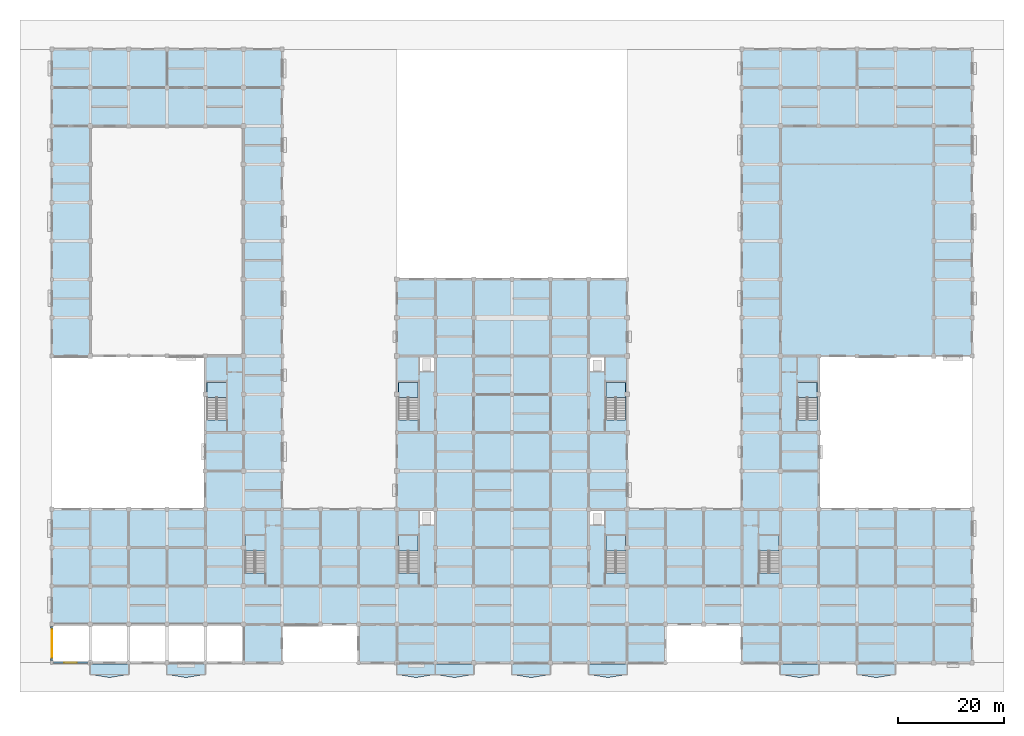
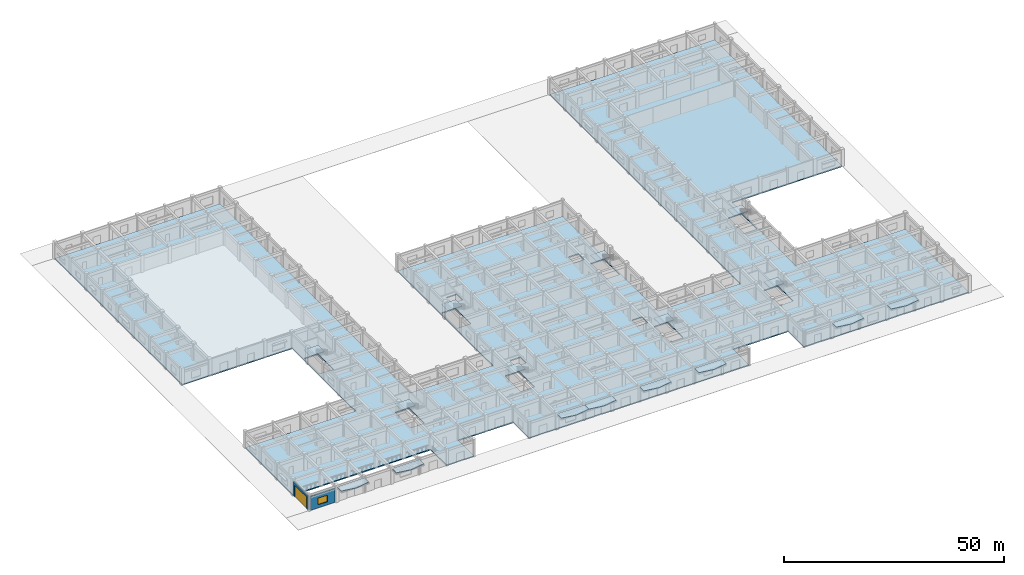
# One storey, part 7 of 37: 17 slabs, 2 walls, 1 door, 1 window, 2 openings, 8 elements without a shape of their own.
"""IFC4 building model written with IfcOpenShell, lengths in metres."""

from ifc_helpers import new_model, si_unit, direction, frame, frame_2d, origin, place, context, subcontext, project, spatial, polyline, rectangle, outline, extrude, material, layer, layer_set, type_object, element, fill, aggregate, save


model = new_model("IFC4")

# Units and contexts
model_context = context("Model", 3, precision=1e-05, world=origin(), true_north=direction((0.0, 1.0)))
body_context = subcontext(model_context, "Body", "Model", "MODEL_VIEW")
ifc_project = project(units=[si_unit("LENGTHUNIT", "METRE"), si_unit("AREAUNIT", "SQUARE_METRE"), si_unit("VOLUMEUNIT", "CUBIC_METRE"), si_unit("PLANEANGLEUNIT", "RADIAN"), si_unit("MASSUNIT", "GRAM", prefix="KILO")], contexts=[model_context])

# Site, building, storey
site_placement = place(None, origin())
site = spatial("IfcSite", under=ifc_project, at=site_placement, CompositionType="ELEMENT")
building_placement = place(site_placement, origin())
building = spatial("IfcBuilding", under=site, at=building_placement, Name="Cendaluz Park School", CompositionType="ELEMENT")
storey_placement = place(building_placement, origin())
storey = spatial("IfcBuildingStorey", under=building, at=storey_placement, Name="L00", CompositionType="ELEMENT", Elevation=0.0)

# Slabs
ifc_material_1 = material(Name="Concrete C40/50", Category="concrete")
ifc_layer_1 = layer(ifc_material_1, 0.159912109375)
ifc_layer_set_1 = layer_set([ifc_layer_1], Name="Concrete C40/50")
slab_type_1 = type_object("IfcSlabType", Name="SL-CN-160", PredefinedType="ROOF", material=ifc_layer_set_1)
slab_1_placement = place(storey_placement, frame((0.0, 0.0, 4.0400390625)))
element("IfcSlab", 1, at=slab_1_placement, inside=storey, type_object=slab_type_1, Name="Park Arcade Canopy 1", PredefinedType="ROOF", context=body_context, shape_type="SweptSolid", body=[
    extrude(outline(polyline([(7.199951171875, -0.199951171875), (14.39990234375, -0.199951171875), (14.39990234375, -2.199951171875), (10.800048828125, -2.800048828125), (7.199951171875, -2.199951171875), (7.199951171875, -0.199951171875)])), origin(), (0.0, 0.0, 1.0), 0.159912109375),
])
slab_2_placement = place(storey_placement, frame((0.0, 0.0, 4.0400390625)))
element("IfcSlab", 2, at=slab_2_placement, inside=storey, type_object=slab_type_1, Name="Park Arcade Canopy 2", PredefinedType="ROOF", context=body_context, shape_type="SweptSolid", body=[
    extrude(outline(polyline([(21.60009765625, -0.199951171875), (28.800048828125, -0.199951171875), (28.800048828125, -2.199951171875), (25.199951171875, -2.800048828125), (21.60009765625, -2.199951171875), (21.60009765625, -0.199951171875)])), origin(), (0.0, 0.0, 1.0), 0.159912109375),
])
slab_3_placement = place(storey_placement, frame((0.0, 0.0, 4.0400390625)))
element("IfcSlab", 3, at=slab_3_placement, inside=storey, type_object=slab_type_1, Name="Park Arcade Canopy 3", PredefinedType="ROOF", context=body_context, shape_type="SweptSolid", body=[
    extrude(outline(polyline([(64.800048828125, -0.199951171875), (72.0, -0.199951171875), (72.0, -2.199951171875), (68.39990234375, -2.800048828125), (64.800048828125, -2.199951171875), (64.800048828125, -0.199951171875)])), origin(), (0.0, 0.0, 1.0), 0.159912109375),
])
slab_4_placement = place(storey_placement, frame((0.0, 0.0, 4.0400390625)))
element("IfcSlab", 4, at=slab_4_placement, inside=storey, type_object=slab_type_1, Name="Park Arcade Canopy 4", PredefinedType="ROOF", context=body_context, shape_type="SweptSolid", body=[
    extrude(outline(polyline([(72.0, -0.199951171875), (79.199951171875, -0.199951171875), (79.199951171875, -2.199951171875), (75.60009765625, -2.800048828125), (72.0, -2.199951171875), (72.0, -0.199951171875)])), origin(), (0.0, 0.0, 1.0), 0.159912109375),
])
slab_5_placement = place(storey_placement, frame((0.0, 0.0, 4.0400390625)))
element("IfcSlab", 5, at=slab_5_placement, inside=storey, type_object=slab_type_1, Name="Park Arcade Canopy 5", PredefinedType="ROOF", context=body_context, shape_type="SweptSolid", body=[
    extrude(outline(polyline([(86.39990234375, -0.199951171875), (93.60009765625, -0.199951171875), (93.60009765625, -2.199951171875), (90.0, -2.800048828125), (86.39990234375, -2.199951171875), (86.39990234375, -0.199951171875)])), origin(), (0.0, 0.0, 1.0), 0.159912109375),
])
slab_6_placement = place(storey_placement, frame((0.0, 0.0, 4.0400390625)))
element("IfcSlab", 6, at=slab_6_placement, inside=storey, type_object=slab_type_1, Name="Park Arcade Canopy 6", PredefinedType="ROOF", context=body_context, shape_type="SweptSolid", body=[
    extrude(outline(polyline([(100.800048828125, -0.199951171875), (108.0, -0.199951171875), (108.0, -2.199951171875), (104.39990234375, -2.800048828125), (100.800048828125, -2.199951171875), (100.800048828125, -0.199951171875)])), origin(), (0.0, 0.0, 1.0), 0.159912109375),
])
slab_7_placement = place(storey_placement, frame((0.0, 0.0, 4.0400390625)))
element("IfcSlab", 7, at=slab_7_placement, inside=storey, type_object=slab_type_1, Name="Park Arcade Canopy 7", PredefinedType="ROOF", context=body_context, shape_type="SweptSolid", body=[
    extrude(outline(polyline([(136.800048828125, -0.199951171875), (144.0, -0.199951171875), (144.0, -2.199951171875), (140.39990234375, -2.800048828125), (136.800048828125, -2.199951171875), (136.800048828125, -0.199951171875)])), origin(), (0.0, 0.0, 1.0), 0.159912109375),
])
slab_8_placement = place(storey_placement, frame((0.0, 0.0, 4.0400390625)))
element("IfcSlab", 8, at=slab_8_placement, inside=storey, type_object=slab_type_1, Name="Park Arcade Canopy 8", PredefinedType="ROOF", context=body_context, shape_type="SweptSolid", body=[
    extrude(outline(polyline([(151.199951171875, -0.199951171875), (158.39990234375, -0.199951171875), (158.39990234375, -2.199951171875), (154.800048828125, -2.800048828125), (151.199951171875, -2.199951171875), (151.199951171875, -0.199951171875)])), origin(), (0.0, 0.0, 1.0), 0.159912109375),
])
ifc_layer_2 = layer(ifc_material_1, 0.300048828125)
ifc_layer_set_2 = layer_set([ifc_layer_2], Name="Concrete C40/50")
slab_type_2 = type_object("IfcSlabType", Name="SL-FL-300", PredefinedType="FLOOR", material=ifc_layer_set_2)
slab_9_placement = place(storey_placement, frame((0.0, 0.0, -0.300048828125)))
element("IfcSlab", 9, at=slab_9_placement, inside=storey, type_object=slab_type_2, Name="SL-L00-01", PredefinedType="FLOOR", context=body_context, shape_type="SweptSolid", body=[
    extrude(outline(polyline([(0.0, 57.60009765625), (0.0, 115.199951171875), (43.199951171875, 115.199951171875), (43.199951171875, 28.800048828125), (64.800048828125, 28.800048828125), (64.800048828125, 72.0), (108.0, 72.0), (108.0, 28.800048828125), (129.60009765625, 28.800048828125), (129.60009765625, 115.199951171875), (172.800048828125, 115.199951171875), (172.800048828125, 57.60009765625), (144.0, 57.60009765625), (144.0, 28.800048828125), (172.800048828125, 28.800048828125), (172.800048828125, 0.0), (129.60009765625, 0.0), (129.60009765625, 7.199951171875), (115.199951171875, 7.199951171875), (115.199951171875, 0.0), (57.60009765625, 0.0), (57.60009765625, 7.199951171875), (43.199951171875, 7.199951171875), (43.199951171875, 0.0), (36.0, 0.0), (36.0, 7.199951171875), (0.0, 7.199951171875), (0.0, 28.800048828125), (28.800048828125, 28.800048828125), (28.800048828125, 57.60009765625), (0.0, 57.60009765625)]), holes=[polyline([(68.77001953125, 16.820068359375), (68.77001953125, 23.840087890625), (65.080078125, 23.840087890625), (65.080078125, 16.820068359375), (68.77001953125, 16.820068359375)]), polyline([(69.10009765625, 25.93994140625), (71.800048828125, 25.93994140625), (71.800048828125, 28.60009765625), (69.10009765625, 28.60009765625), (69.10009765625, 25.93994140625)]), polyline([(104.030029296875, 23.840087890625), (104.030029296875, 16.820068359375), (107.719970703125, 16.820068359375), (107.719970703125, 23.840087890625), (104.030029296875, 23.840087890625)]), polyline([(103.699951171875, 28.60009765625), (101.0, 28.60009765625), (101.0, 25.93994140625), (103.699951171875, 25.93994140625), (103.699951171875, 28.60009765625)]), polyline([(68.77001953125, 45.6201171875), (68.77001953125, 52.639892578125), (65.080078125, 52.639892578125), (65.080078125, 45.6201171875), (68.77001953125, 45.6201171875)]), polyline([(69.10009765625, 54.739990234375), (71.800048828125, 54.739990234375), (71.800048828125, 57.39990234375), (69.10009765625, 57.39990234375), (69.10009765625, 54.739990234375)]), polyline([(104.030029296875, 52.639892578125), (104.030029296875, 45.6201171875), (107.719970703125, 45.6201171875), (107.719970703125, 52.639892578125), (104.030029296875, 52.639892578125)]), polyline([(103.699951171875, 57.39990234375), (101.0, 57.39990234375), (101.0, 54.739990234375), (103.699951171875, 54.739990234375), (103.699951171875, 57.39990234375)]), polyline([(39.969970703125, 16.820068359375), (39.969970703125, 23.840087890625), (36.280029296875, 23.840087890625), (36.280029296875, 16.820068359375), (39.969970703125, 16.820068359375)]), polyline([(132.830078125, 16.820068359375), (136.52001953125, 16.820068359375), (136.52001953125, 23.840087890625), (132.830078125, 23.840087890625), (132.830078125, 16.820068359375)]), polyline([(29.080078125, 52.639892578125), (29.080078125, 45.6201171875), (32.77001953125, 45.6201171875), (32.77001953125, 52.639892578125), (29.080078125, 52.639892578125)]), polyline([(143.719970703125, 52.639892578125), (140.030029296875, 52.639892578125), (140.030029296875, 45.6201171875), (143.719970703125, 45.6201171875), (143.719970703125, 52.639892578125)])]), origin(), (0.0, 0.0, 1.0), 0.300048828125),
])

# Stair, slab
stair_type = type_object("IfcStairType", Name="ST-480-180", PredefinedType="HALF_TURN_STAIR", material=ifc_material_1)
stair_1_placement = place(storey_placement, origin())
stair_1 = element("IfcStair", 10, at=stair_1_placement, inside=storey, type_object=stair_type, Name="ST-L00-C1", PredefinedType="HALF_TURN_STAIR")
ifc_layer_3 = layer(ifc_material_1, 0.199951171875)
ifc_layer_set_3 = layer_set([ifc_layer_3], Name="Concrete C40/50")
slab_type_3 = type_object("IfcSlabType", Name="SL-LD-200", PredefinedType="LANDING", material=ifc_layer_set_3)
slab_10_placement = place(storey_placement, frame((0.0, 0.0, 2.199951171875)))
slab_10 = element("IfcSlab", 11, at=slab_10_placement, type_object=slab_type_3, Name="SL-LD-L00-C1", PredefinedType="LANDING", context=body_context, shape_type="SweptSolid", body=[
    extrude(outline(polyline([(65.090087890625, 20.9599609375), (68.77001953125, 20.9599609375), (68.77001953125, 23.860107421875), (65.090087890625, 23.860107421875), (65.090087890625, 20.9599609375)])), origin(), (0.0, 0.0, 1.0), 0.199951171875),
])
aggregate(stair_1, [slab_10])

stair_2_placement = place(storey_placement, origin())
stair_2 = element("IfcStair", 12, at=stair_2_placement, inside=storey, type_object=stair_type, Name="ST-L00-C2", PredefinedType="HALF_TURN_STAIR")
slab_11_placement = place(storey_placement, frame((0.0, 0.0, 2.199951171875)))
slab_11 = element("IfcSlab", 13, at=slab_11_placement, type_object=slab_type_3, Name="SL-LD-L00-C2", PredefinedType="LANDING", context=body_context, shape_type="SweptSolid", body=[
    extrude(outline(polyline([(104.030029296875, 20.9599609375), (107.7099609375, 20.9599609375), (107.7099609375, 23.860107421875), (104.030029296875, 23.860107421875), (104.030029296875, 20.9599609375)])), origin(), (0.0, 0.0, 1.0), 0.199951171875),
])
aggregate(stair_2, [slab_11])

stair_3_placement = place(storey_placement, origin())
stair_3 = element("IfcStair", 14, at=stair_3_placement, inside=storey, type_object=stair_type, Name="ST-L00-C3", PredefinedType="HALF_TURN_STAIR")
slab_12_placement = place(storey_placement, frame((0.0, 0.0, 2.199951171875)))
slab_12 = element("IfcSlab", 15, at=slab_12_placement, type_object=slab_type_3, Name="SL-LD-L00-C3", PredefinedType="LANDING", context=body_context, shape_type="SweptSolid", body=[
    extrude(outline(polyline([(65.090087890625, 49.760009765625), (68.77001953125, 49.760009765625), (68.77001953125, 52.659912109375), (65.090087890625, 52.659912109375), (65.090087890625, 49.760009765625)])), origin(), (0.0, 0.0, 1.0), 0.199951171875),
])
aggregate(stair_3, [slab_12])

stair_4_placement = place(storey_placement, origin())
stair_4 = element("IfcStair", 16, at=stair_4_placement, inside=storey, type_object=stair_type, Name="ST-L00-C4", PredefinedType="HALF_TURN_STAIR")
slab_13_placement = place(storey_placement, frame((0.0, 0.0, 2.199951171875)))
slab_13 = element("IfcSlab", 17, at=slab_13_placement, type_object=slab_type_3, Name="SL-LD-L00-C4", PredefinedType="LANDING", context=body_context, shape_type="SweptSolid", body=[
    extrude(outline(polyline([(104.030029296875, 49.760009765625), (107.7099609375, 49.760009765625), (107.7099609375, 52.659912109375), (104.030029296875, 52.659912109375), (104.030029296875, 49.760009765625)])), origin(), (0.0, 0.0, 1.0), 0.199951171875),
])
aggregate(stair_4, [slab_13])

stair_5_placement = place(storey_placement, origin())
stair_5 = element("IfcStair", 18, at=stair_5_placement, inside=storey, type_object=stair_type, Name="ST-L00-C5", PredefinedType="HALF_TURN_STAIR")
slab_14_placement = place(storey_placement, frame((0.0, 0.0, 2.199951171875)))
slab_14 = element("IfcSlab", 19, at=slab_14_placement, type_object=slab_type_3, Name="SL-LD-L00-C5", PredefinedType="LANDING", context=body_context, shape_type="SweptSolid", body=[
    extrude(outline(polyline([(36.2900390625, 20.9599609375), (39.969970703125, 20.9599609375), (39.969970703125, 23.860107421875), (36.2900390625, 23.860107421875), (36.2900390625, 20.9599609375)])), origin(), (0.0, 0.0, 1.0), 0.199951171875),
])
aggregate(stair_5, [slab_14])

stair_6_placement = place(storey_placement, origin())
stair_6 = element("IfcStair", 20, at=stair_6_placement, inside=storey, type_object=stair_type, Name="ST-L00-C6", PredefinedType="HALF_TURN_STAIR")
slab_15_placement = place(storey_placement, frame((0.0, 0.0, 2.199951171875)))
slab_15 = element("IfcSlab", 21, at=slab_15_placement, type_object=slab_type_3, Name="SL-LD-L00-C6", PredefinedType="LANDING", context=body_context, shape_type="SweptSolid", body=[
    extrude(outline(polyline([(132.830078125, 20.9599609375), (136.510009765625, 20.9599609375), (136.510009765625, 23.860107421875), (132.830078125, 23.860107421875), (132.830078125, 20.9599609375)])), origin(), (0.0, 0.0, 1.0), 0.199951171875),
])
aggregate(stair_6, [slab_15])

stair_7_placement = place(storey_placement, origin())
stair_7 = element("IfcStair", 22, at=stair_7_placement, inside=storey, type_object=stair_type, Name="ST-L00-C7", PredefinedType="HALF_TURN_STAIR")
slab_16_placement = place(storey_placement, frame((0.0, 0.0, 2.199951171875)))
slab_16 = element("IfcSlab", 23, at=slab_16_placement, type_object=slab_type_3, Name="SL-LD-L00-C7", PredefinedType="LANDING", context=body_context, shape_type="SweptSolid", body=[
    extrude(outline(polyline([(29.090087890625, 49.760009765625), (32.77001953125, 49.760009765625), (32.77001953125, 52.659912109375), (29.090087890625, 52.659912109375), (29.090087890625, 49.760009765625)])), origin(), (0.0, 0.0, 1.0), 0.199951171875),
])
aggregate(stair_7, [slab_16])

stair_8_placement = place(storey_placement, origin())
stair_8 = element("IfcStair", 24, at=stair_8_placement, inside=storey, type_object=stair_type, Name="ST-L00-C8", PredefinedType="HALF_TURN_STAIR")
slab_17_placement = place(storey_placement, frame((0.0, 0.0, 2.199951171875)))
slab_17 = element("IfcSlab", 25, at=slab_17_placement, type_object=slab_type_3, Name="SL-LD-L00-C8", PredefinedType="LANDING", context=body_context, shape_type="SweptSolid", body=[
    extrude(outline(polyline([(140.030029296875, 49.760009765625), (143.7099609375, 49.760009765625), (143.7099609375, 52.659912109375), (140.030029296875, 52.659912109375), (140.030029296875, 49.760009765625)])), origin(), (0.0, 0.0, 1.0), 0.199951171875),
])
aggregate(stair_8, [slab_17])

# Wall, opening, window
ifc_material_2 = material(Name="Concrete C40/50 precast", Category="concrete")
ifc_layer_4 = layer(ifc_material_2, 0.360107421875)
ifc_layer_set_4 = layer_set([ifc_layer_4], Name="Concrete C40/50 precast")
wall_type = type_object("IfcWallType", Name="W-EX36", PredefinedType="SOLIDWALL", material=ifc_layer_set_4)
wall_1_placement = place(storey_placement, frame((0.25, 0.0, 0.0), z_axis=(0.0, 0.0, 1.0), x_axis=(1.0, 0.0, 0.0)))
wall_1 = element("IfcWall", 26, at=wall_1_placement, inside=storey, type_object=wall_type, Name="WL-FA-AA0", PredefinedType="SOLIDWALL", context=body_context, shape_type="SweptSolid", body=[
    extrude(rectangle(XDim=6.5, YDim=0.360107421875, at=frame_2d((3.25, 0.0))), origin(), (0.0, 0.0, 1.0), 3.889892578125),
])
opening_1_placement = place(wall_1_placement, frame((2.050048828125, 0.0, 0.89990234375)))
opening_1 = element("IfcOpeningElement", 27, at=opening_1_placement, cuts=wall_1, Name="Opening WN-04", PredefinedType="OPENING", context=body_context, shape_type="SweptSolid", body=[
    extrude(rectangle(XDim=2.39990234375, YDim=1.800048828125, at=frame_2d((1.199951171875, 0.89990234375))), frame((0.0, 0.192138671875, 0.0), z_axis=(0.0, -1.0, 0.0), x_axis=(1.0, 0.0, 0.0)), (0.0, 0.0, 1.0), 0.384033203125),
])
ifc_material_3 = material(Name="Tempered Low-E Double Glazing", Category="glass")
window_type = type_object("IfcWindowType", Name="WN-04", PartitioningType="SINGLE_PANEL", PredefinedType="WINDOW", material=ifc_material_3)
window_placement = place(opening_1_placement, origin())
window = element("IfcWindow", 28, at=window_placement, inside=storey, type_object=window_type, Name="WN-L00-001", OverallHeight=1.800048828125, OverallWidth=2.39990234375, PartitioningType="SINGLE_PANEL", PredefinedType="WINDOW", context=body_context, shape_type="SweptSolid", body=[
    extrude(rectangle(XDim=2.39990234375, YDim=1.800048828125, at=frame_2d((1.199951171875, 0.89990234375))), frame((0.0, 0.030029296875, 0.0), z_axis=(0.0, -1.0, 0.0), x_axis=(1.0, 0.0, 0.0)), (0.0, 0.0, 1.0), 0.06005859375),
])
fill(opening_1, window)

# Wall, opening, door
wall_2_placement = place(storey_placement, frame((0.0, 0.375, 0.0), z_axis=(0.0, 0.0, 1.0), x_axis=(0.0, 1.0, 0.0)))
wall_2 = element("IfcWall", 29, at=wall_2_placement, inside=storey, type_object=wall_type, Name="WL-FA-AA1", PredefinedType="SOLIDWALL", context=body_context, shape_type="SweptSolid", body=[
    extrude(rectangle(XDim=6.425048828125, YDim=0.360107421875, at=frame_2d((3.21240234375, 0.0))), origin(), (0.0, 0.0, 1.0), 3.889892578125),
])
opening_2_placement = place(wall_2_placement, frame((0.512451171875, 0.0, 0.0)))
opening_2 = element("IfcOpeningElement", 30, at=opening_2_placement, cuts=wall_2, Name="Opening VG-01", PredefinedType="OPENING", context=body_context, shape_type="SweptSolid", body=[
    extrude(rectangle(XDim=5.39990234375, YDim=3.300048828125, at=frame_2d((2.699951171875, 1.64990234375))), frame((0.0, 0.192138671875, 0.0), z_axis=(0.0, -1.0, 0.0), x_axis=(1.0, 0.0, 0.0)), (0.0, 0.0, 1.0), 0.384033203125),
])
ifc_material_4 = material(Name="Anodised Aluminium 6063-T6", Category="aluminium")
door_type = type_object("IfcDoorType", Name="VG-01", OperationType="ROLLINGUP", PredefinedType="GATE", material=ifc_material_4)
door_placement = place(opening_2_placement, origin())
door = element("IfcDoor", 31, at=door_placement, inside=storey, type_object=door_type, Name="D-L00-001", OperationType="ROLLINGUP", OverallHeight=3.300048828125, OverallWidth=5.39990234375, PredefinedType="GATE", context=body_context, shape_type="SweptSolid", body=[
    extrude(rectangle(XDim=5.39990234375, YDim=3.300048828125, at=frame_2d((2.699951171875, 1.64990234375))), frame((0.0, 0.02490234375, 0.0), z_axis=(0.0, -1.0, 0.0), x_axis=(1.0, 0.0, 0.0)), (0.0, 0.0, 1.0), 0.050048828125),
])
fill(opening_2, door)

save(model, "model.ifc")
